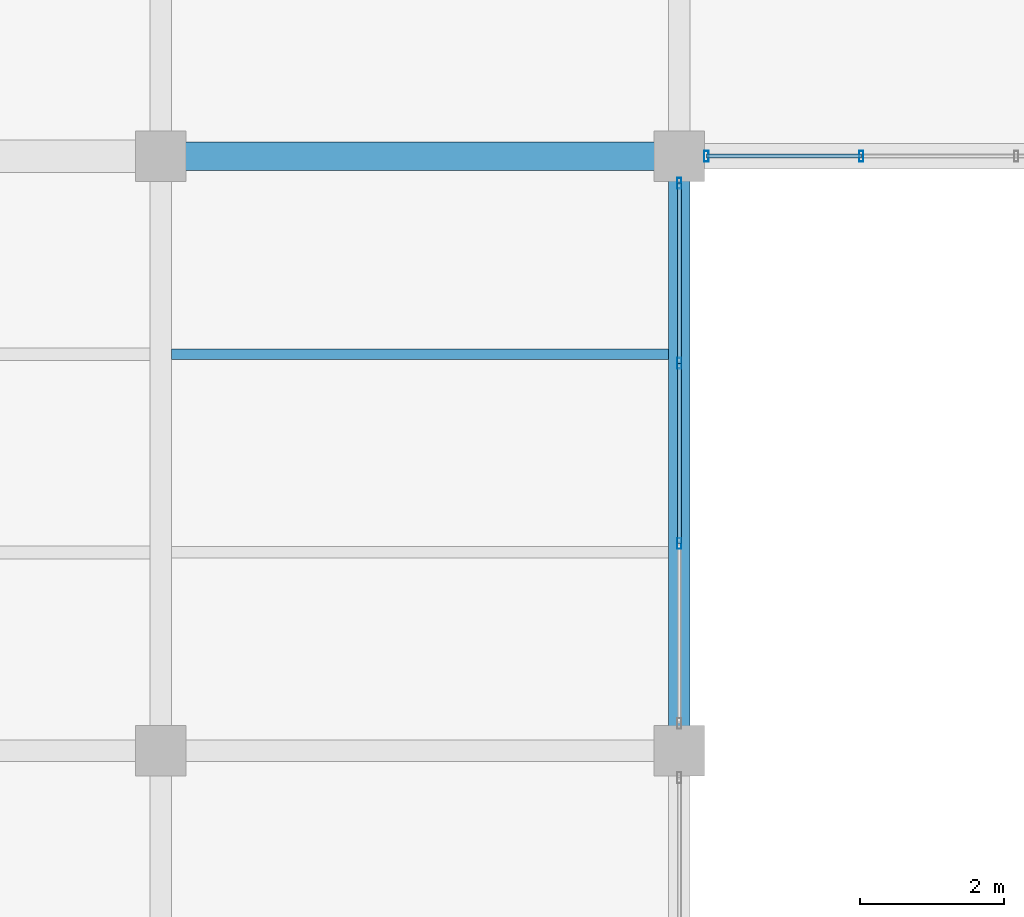
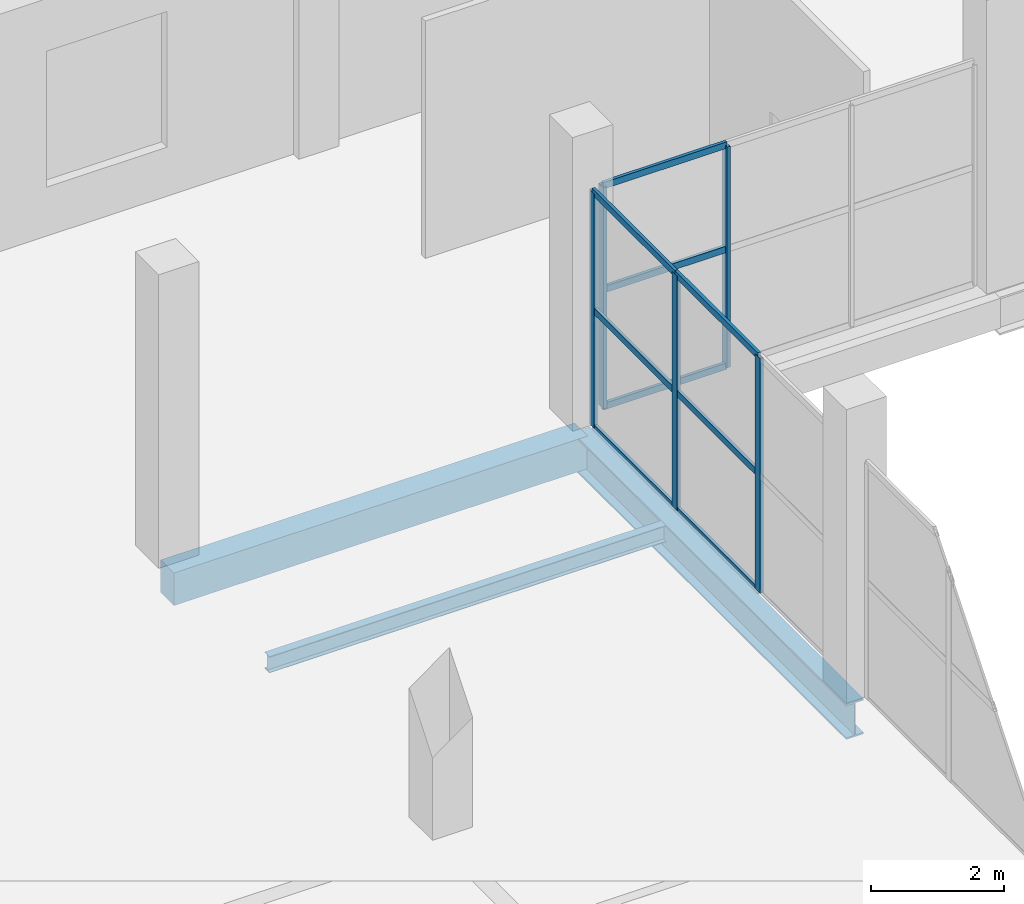
# One storey, part 74 of 147: 14 members, 3 beams, 2 elements without a shape of their own.
"""IFC4 building model written with IfcOpenShell, lengths in metres."""

from ifc_helpers import new_model, si_unit, direction, frame, origin, origin_2d, place, context, subcontext, project, spatial, rectangle, hollow_rectangle, i_section, extrude, material, layer, layer_set, material_profile, profile_set, type_object, element, aggregate, save


model = new_model("IFC4")

# Units and contexts
model_context = context("Model", 3, precision=1e-05, world=origin(), true_north=direction((0.0, 1.0)))
body_context = subcontext(model_context, "Body", "Model", "MODEL_VIEW")
ifc_project = project(units=[si_unit("LENGTHUNIT", "METRE"), si_unit("AREAUNIT", "SQUARE_METRE"), si_unit("VOLUMEUNIT", "CUBIC_METRE"), si_unit("PLANEANGLEUNIT", "RADIAN"), si_unit("MASSUNIT", "GRAM", prefix="KILO")], contexts=[model_context])

# Site, building, storey
site_placement = place(None, origin())
site = spatial("IfcSite", under=ifc_project, at=site_placement, CompositionType="ELEMENT")
building_placement = place(site_placement, origin())
building = spatial("IfcBuilding", under=site, at=building_placement, Name="Sundgate Opera House", CompositionType="ELEMENT")
storey_placement = place(building_placement, frame((0.0, 0.0, 6.0)))
storey = spatial("IfcBuildingStorey", under=building, at=storey_placement, Name="L01", CompositionType="ELEMENT", Elevation=6.0)

# Beams
ifc_material_1 = material(Name="Steel S355J2", Category="steel")
ifc_material_profile_1 = material_profile(ifc_material_1, i_section(OverallWidth=0.300048828125, OverallDepth=0.64990234375, WebThickness=0.01611328125, FlangeThickness=0.031005859375, at=origin_2d()), Name="HEB 650")
ifc_profile_set_1 = profile_set([ifc_material_profile_1], Name="Steel S355J2")
beam_type_1 = type_object("IfcBeamType", Name="BM-GR-HEB650", PredefinedType="BEAM", material=ifc_profile_set_1)
beam_1_placement = place(storey_placement, frame((124.199951171875, 103.5, -0.625), z_axis=(0.0, 1.0, 0.0), x_axis=(-1.0, 0.0, 0.0)))
element("IfcBeam", 1, at=beam_1_placement, inside=storey, type_object=beam_type_1, Name="L01 Primary N-S Girder B1205", PredefinedType="BEAM", context=body_context, shape_type="SweptSolid", body=[
    extrude(i_section(OverallWidth=0.300048828125, OverallDepth=0.64990234375, WebThickness=0.01611328125, FlangeThickness=0.031005859375, at=origin_2d()), origin(), (0.0, 0.0, 1.0), 8.25),
])
ifc_material_2 = material(Name="Steel S355J2", Category="steel")
ifc_material_profile_2 = material_profile(ifc_material_2, i_section(OverallWidth=0.14990234375, OverallDepth=0.300048828125, WebThickness=0.007080078125, FlangeThickness=0.0107421875, at=origin_2d()), Name="IPE 300")
ifc_profile_set_2 = profile_set([ifc_material_profile_2], Name="Steel S355J2")
beam_type_2 = type_object("IfcBeamType", Name="BM-JS-IPE300", PredefinedType="JOIST", material=ifc_profile_set_2)
beam_2_placement = place(storey_placement, frame((117.14990234375, 109.0, -0.449951171875), z_axis=(1.0, 0.0, 0.0), x_axis=(0.0, 1.0, 0.0)))
element("IfcBeam", 2, at=beam_2_placement, inside=storey, type_object=beam_type_2, Name="L01 Secondary Floor Joist B1733", PredefinedType="JOIST", context=body_context, shape_type="SweptSolid", body=[
    extrude(i_section(OverallWidth=0.14990234375, OverallDepth=0.300048828125, WebThickness=0.007080078125, FlangeThickness=0.0107421875, at=origin_2d()), origin(), (0.0, 0.0, 1.0), 6.900146484375),
])
ifc_material_3 = material(Name="Concrete C35/45", Category="concrete")
ifc_material_profile_3 = material_profile(ifc_material_3, rectangle(XDim=0.39990234375, YDim=0.60009765625, at=origin_2d()), Name="RC 400x600")
ifc_profile_set_3 = profile_set([ifc_material_profile_3], Name="Concrete C35/45")
beam_type_3 = type_object("IfcBeamType", Name="BM-RC-400x600", PredefinedType="BEAM", material=ifc_profile_set_3)
beam_3_placement = place(storey_placement, frame((117.0, 111.75, -0.60009765625), z_axis=(1.0, 0.0, 0.0), x_axis=(0.0, 1.0, 0.0)))
element("IfcBeam", 3, at=beam_3_placement, inside=storey, type_object=beam_type_3, Name="L01 Primary E-W Girder B1444", PredefinedType="BEAM", context=body_context, shape_type="SweptSolid", body=[
    extrude(rectangle(XDim=0.39990234375, YDim=0.60009765625, at=origin_2d()), origin(), (0.0, 0.0, 1.0), 7.199951171875),
])

# Curtain wall, members
ifc_material_4 = material(Name="Anodized aluminium and low-iron glass", Category="aluminium")
ifc_layer = layer(ifc_material_4, 0.159912109375)
ifc_layer_set = layer_set([ifc_layer], Name="Anodized aluminium and low-iron glass")
curtain_wall_type = type_object("IfcCurtainWallType", Name="CW-STUDIO-DARK", PredefinedType="NOTDEFINED", material=ifc_layer_set)
curtain_wall_1_placement = place(storey_placement, origin())
curtain_wall_1 = element("IfcCurtainWall", 4, at=curtain_wall_1_placement, inside=storey, type_object=curtain_wall_type, Name="L01 Curtain Wall CW095", PredefinedType="NOTDEFINED")
ifc_material_5 = material(Name="Anodized aluminium EN AW-6063", Category="aluminium")
ifc_material_profile_4 = material_profile(ifc_material_5, hollow_rectangle(XDim=0.06005859375, YDim=0.14990234375, WallThickness=0.00390625, at=origin_2d()), Name="CWM 150x60x4")
ifc_profile_set_4 = profile_set([ifc_material_profile_4], Name="Anodized aluminium EN AW-6063")
member_type_1 = type_object("IfcMemberType", Name="CWM-ALU-150x60", PredefinedType="MULLION", material=ifc_profile_set_4)
member_1_placement = place(storey_placement, frame((126.72509765625, 111.75, 0.0), z_axis=(0.0, 0.0, 1.0), x_axis=(1.0, 0.0, 0.0)))
member_1 = element("IfcMember", 5, at=member_1_placement, type_object=member_type_1, Name="CW095 Mullion 3", PredefinedType="MULLION", context=body_context, shape_type="SweptSolid", body=[
    extrude(hollow_rectangle(XDim=0.06005859375, YDim=0.14990234375, WallThickness=0.00390625, at=origin_2d()), origin(), (0.0, 0.0, 1.0), 4.06494140625),
])
member_2_placement = place(storey_placement, frame((124.574951171875, 111.75, 0.0), z_axis=(0.0, 0.0, 1.0), x_axis=(1.0, 0.0, 0.0)))
member_2 = element("IfcMember", 6, at=member_2_placement, type_object=member_type_1, Name="CW095 Mullion 4", PredefinedType="MULLION", context=body_context, shape_type="SweptSolid", body=[
    extrude(hollow_rectangle(XDim=0.06005859375, YDim=0.14990234375, WallThickness=0.00390625, at=origin_2d()), origin(), (0.0, 0.0, 1.0), 4.06494140625),
])

curtain_wall_2_placement = place(storey_placement, origin())
curtain_wall_2 = element("IfcCurtainWall", 7, at=curtain_wall_2_placement, inside=storey, type_object=curtain_wall_type, Name="L01 Curtain Wall CW106", PredefinedType="NOTDEFINED")
member_3_placement = place(storey_placement, frame((124.199951171875, 106.375, 0.0), z_axis=(0.0, 0.0, 1.0), x_axis=(1.0, 0.0, 0.0)))
member_3 = element("IfcMember", 8, at=member_3_placement, type_object=member_type_1, Name="CW106 Mullion 2", PredefinedType="MULLION", context=body_context, shape_type="SweptSolid", body=[
    extrude(hollow_rectangle(XDim=0.06005859375, YDim=0.14990234375, WallThickness=0.00390625, at=origin_2d()), origin(), (0.0, 0.0, 1.0), 4.31494140625),
])
member_4_placement = place(storey_placement, frame((124.199951171875, 108.875, 0.0), z_axis=(0.0, 0.0, 1.0), x_axis=(1.0, 0.0, 0.0)))
member_4 = element("IfcMember", 9, at=member_4_placement, type_object=member_type_1, Name="CW106 Mullion 3", PredefinedType="MULLION", context=body_context, shape_type="SweptSolid", body=[
    extrude(hollow_rectangle(XDim=0.06005859375, YDim=0.14990234375, WallThickness=0.00390625, at=origin_2d()), origin(), (0.0, 0.0, 1.0), 4.31494140625),
])
member_5_placement = place(storey_placement, frame((124.199951171875, 111.375, 0.0), z_axis=(0.0, 0.0, 1.0), x_axis=(1.0, 0.0, 0.0)))
member_5 = element("IfcMember", 10, at=member_5_placement, type_object=member_type_1, Name="CW106 Mullion 4", PredefinedType="MULLION", context=body_context, shape_type="SweptSolid", body=[
    extrude(hollow_rectangle(XDim=0.06005859375, YDim=0.14990234375, WallThickness=0.00390625, at=origin_2d()), origin(), (0.0, 0.0, 1.0), 4.31494140625),
])

# Member
ifc_material_6 = material(Name="Anodized aluminium EN AW-6063", Category="aluminium")
ifc_material_profile_5 = material_profile(ifc_material_6, hollow_rectangle(XDim=0.054931640625, YDim=0.1201171875, WallThickness=0.00390625, at=origin_2d()), Name="CWT 120x55x4")
ifc_profile_set_5 = profile_set([ifc_material_profile_5], Name="Anodized aluminium EN AW-6063")
member_type_2 = type_object("IfcMemberType", Name="CWT-ALU-120x55", PredefinedType="USERDEFINED", material=ifc_profile_set_5)
member_6_placement = place(storey_placement, frame((126.72509765625, 111.75, 0.0), z_axis=(-1.0, 0.0, 0.0), x_axis=(0.0, -1.0, 0.0)))
member_6 = element("IfcMember", 11, at=member_6_placement, type_object=member_type_2, Name="CW095 Transom 7", ObjectType="TRANSOM", PredefinedType="USERDEFINED", context=body_context, shape_type="SweptSolid", body=[
    extrude(hollow_rectangle(XDim=0.054931640625, YDim=0.1201171875, WallThickness=0.00390625, at=origin_2d()), origin(), (0.0, 0.0, 1.0), 2.150146484375),
])

member_7_placement = place(storey_placement, frame((126.72509765625, 111.75, 2.14990234375), z_axis=(-1.0, 0.0, 0.0), x_axis=(0.0, -1.0, 0.0)))
member_7 = element("IfcMember", 12, at=member_7_placement, type_object=member_type_2, Name="CW095 Transom 8", ObjectType="TRANSOM", PredefinedType="USERDEFINED", context=body_context, shape_type="SweptSolid", body=[
    extrude(hollow_rectangle(XDim=0.054931640625, YDim=0.1201171875, WallThickness=0.00390625, at=origin_2d()), origin(), (0.0, 0.0, 1.0), 2.150146484375),
])

member_8_placement = place(storey_placement, frame((126.72509765625, 111.75, 4.06494140625), z_axis=(-1.0, 0.0, 0.0), x_axis=(0.0, -1.0, 0.0)))
member_8 = element("IfcMember", 13, at=member_8_placement, type_object=member_type_2, Name="CW095 Transom 9", ObjectType="TRANSOM", PredefinedType="USERDEFINED", context=body_context, shape_type="SweptSolid", body=[
    extrude(hollow_rectangle(XDim=0.054931640625, YDim=0.1201171875, WallThickness=0.00390625, at=origin_2d()), origin(), (0.0, 0.0, 1.0), 2.150146484375),
])

aggregate(curtain_wall_1, [member_1, member_2, member_6, member_7, member_8])

member_9_placement = place(storey_placement, frame((124.199951171875, 106.375, 0.0), z_axis=(0.0, 1.0, 0.0), x_axis=(-1.0, 0.0, 0.0)))
member_9 = element("IfcMember", 14, at=member_9_placement, type_object=member_type_2, Name="CW106 Transom 4", ObjectType="TRANSOM", PredefinedType="USERDEFINED", context=body_context, shape_type="SweptSolid", body=[
    extrude(hollow_rectangle(XDim=0.054931640625, YDim=0.1201171875, WallThickness=0.00390625, at=origin_2d()), origin(), (0.0, 0.0, 1.0), 2.5),
])

member_10_placement = place(storey_placement, frame((124.199951171875, 106.375, 2.14990234375), z_axis=(0.0, 1.0, 0.0), x_axis=(-1.0, 0.0, 0.0)))
member_10 = element("IfcMember", 15, at=member_10_placement, type_object=member_type_2, Name="CW106 Transom 5", ObjectType="TRANSOM", PredefinedType="USERDEFINED", context=body_context, shape_type="SweptSolid", body=[
    extrude(hollow_rectangle(XDim=0.054931640625, YDim=0.1201171875, WallThickness=0.00390625, at=origin_2d()), origin(), (0.0, 0.0, 1.0), 2.5),
])

member_11_placement = place(storey_placement, frame((124.199951171875, 106.375, 4.31494140625), z_axis=(0.0, 1.0, 0.0), x_axis=(-1.0, 0.0, 0.0)))
member_11 = element("IfcMember", 16, at=member_11_placement, type_object=member_type_2, Name="CW106 Transom 6", ObjectType="TRANSOM", PredefinedType="USERDEFINED", context=body_context, shape_type="SweptSolid", body=[
    extrude(hollow_rectangle(XDim=0.054931640625, YDim=0.1201171875, WallThickness=0.00390625, at=origin_2d()), origin(), (0.0, 0.0, 1.0), 2.5),
])

member_12_placement = place(storey_placement, frame((124.199951171875, 108.875, 0.0), z_axis=(0.0, 1.0, 0.0), x_axis=(-1.0, 0.0, 0.0)))
member_12 = element("IfcMember", 17, at=member_12_placement, type_object=member_type_2, Name="CW106 Transom 7", ObjectType="TRANSOM", PredefinedType="USERDEFINED", context=body_context, shape_type="SweptSolid", body=[
    extrude(hollow_rectangle(XDim=0.054931640625, YDim=0.1201171875, WallThickness=0.00390625, at=origin_2d()), origin(), (0.0, 0.0, 1.0), 2.5),
])

member_13_placement = place(storey_placement, frame((124.199951171875, 108.875, 2.14990234375), z_axis=(0.0, 1.0, 0.0), x_axis=(-1.0, 0.0, 0.0)))
member_13 = element("IfcMember", 18, at=member_13_placement, type_object=member_type_2, Name="CW106 Transom 8", ObjectType="TRANSOM", PredefinedType="USERDEFINED", context=body_context, shape_type="SweptSolid", body=[
    extrude(hollow_rectangle(XDim=0.054931640625, YDim=0.1201171875, WallThickness=0.00390625, at=origin_2d()), origin(), (0.0, 0.0, 1.0), 2.5),
])

member_14_placement = place(storey_placement, frame((124.199951171875, 108.875, 4.31494140625), z_axis=(0.0, 1.0, 0.0), x_axis=(-1.0, 0.0, 0.0)))
member_14 = element("IfcMember", 19, at=member_14_placement, type_object=member_type_2, Name="CW106 Transom 9", ObjectType="TRANSOM", PredefinedType="USERDEFINED", context=body_context, shape_type="SweptSolid", body=[
    extrude(hollow_rectangle(XDim=0.054931640625, YDim=0.1201171875, WallThickness=0.00390625, at=origin_2d()), origin(), (0.0, 0.0, 1.0), 2.5),
])

aggregate(curtain_wall_2, [member_3, member_4, member_5, member_9, member_10, member_11, member_12, member_13, member_14])

save(model, "model.ifc")
